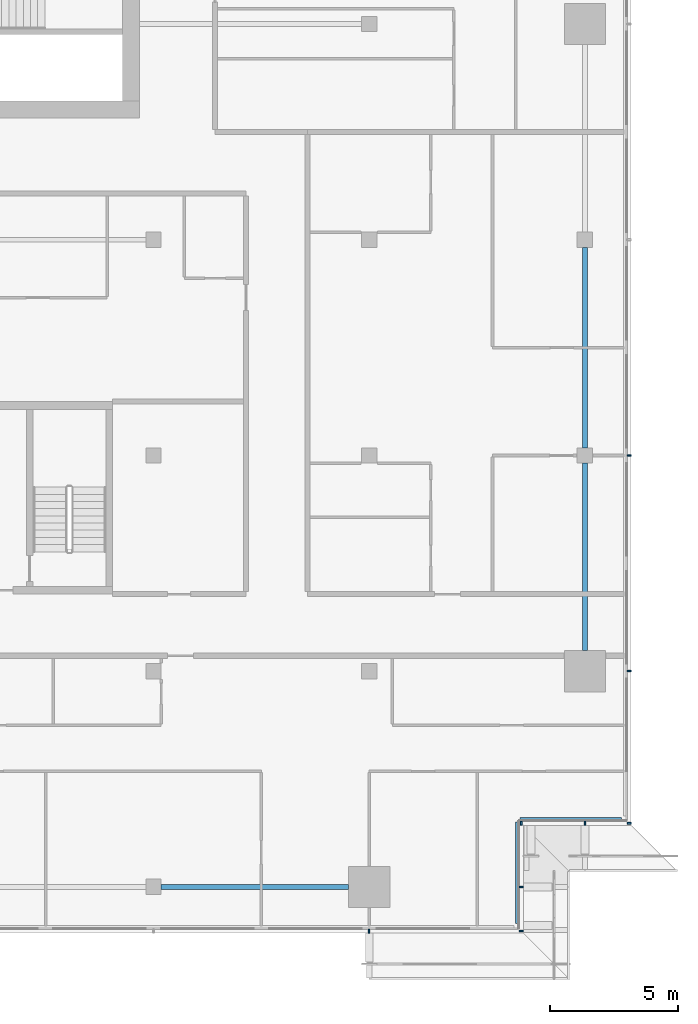
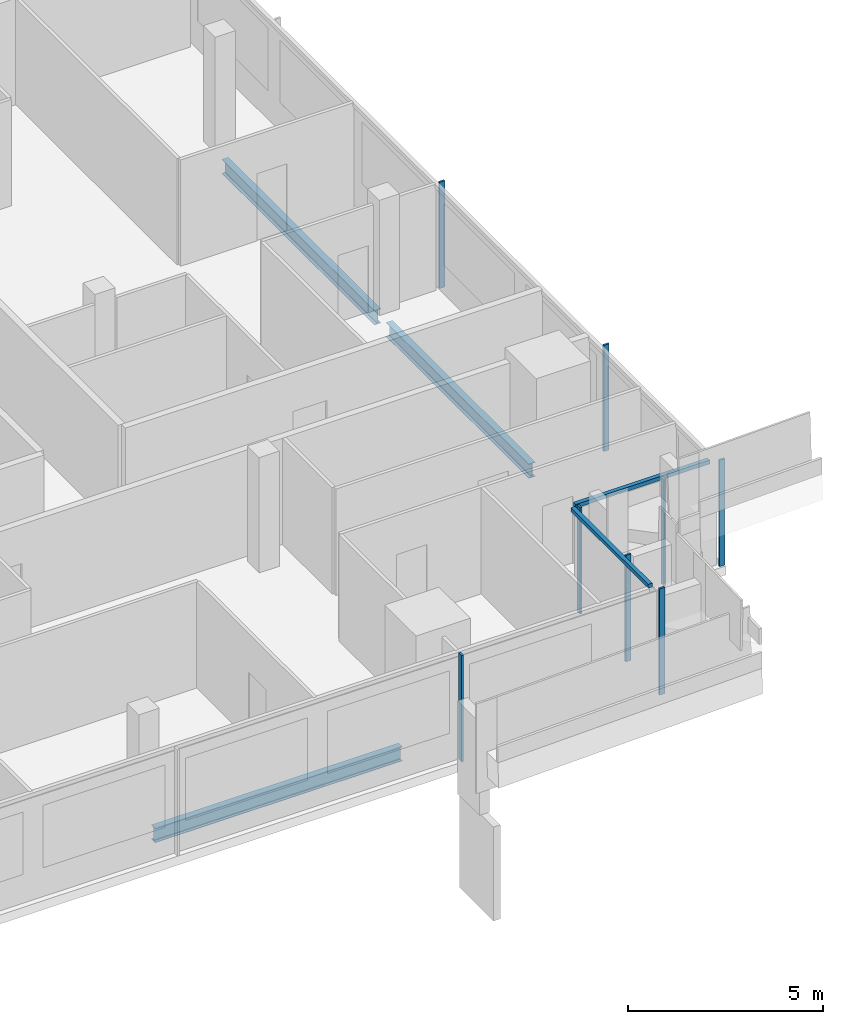
# One storey, part 13 of 30: 10 members, 3 beams, 4 elements without a shape of their own.
"""IFC4 building model written with IfcOpenShell, lengths in metres."""

from ifc_helpers import new_model, si_unit, direction, frame, origin, origin_2d, place, context, subcontext, project, spatial, rectangle, i_section, extrude, material, material_profile, profile_set, type_object, element, aggregate, save


model = new_model("IFC4")

# Units and contexts
model_context = context("Model", 3, precision=1e-05, world=origin(), true_north=direction((0.0, 1.0)))
body_context = subcontext(model_context, "Body", "Model", "MODEL_VIEW")
ifc_project = project(units=[si_unit("LENGTHUNIT", "METRE"), si_unit("AREAUNIT", "SQUARE_METRE"), si_unit("VOLUMEUNIT", "CUBIC_METRE"), si_unit("PLANEANGLEUNIT", "RADIAN"), si_unit("MASSUNIT", "GRAM", prefix="KILO")], contexts=[model_context])

# Site, building, storey
site_placement = place(None, origin())
site = spatial("IfcSite", under=ifc_project, at=site_placement, CompositionType="ELEMENT")
building_placement = place(site_placement, origin())
building = spatial("IfcBuilding", under=site, at=building_placement, Name="Saffron Gate Tower", CompositionType="ELEMENT")
storey_placement = place(building_placement, frame((0.0, 0.0, 237.89990234375)))
storey = spatial("IfcBuildingStorey", under=building, at=storey_placement, Name="L58", CompositionType="ELEMENT", Elevation=237.89990234375)

# Beams
ifc_material_1 = material(Name="Structural steel S355", Category="steel")
ifc_material_profile_1 = material_profile(ifc_material_1, i_section(OverallWidth=0.18994140625, OverallDepth=0.449951171875, WebThickness=0.009521484375, FlangeThickness=0.0146484375, FilletRadius=0.02099609375, at=origin_2d()))
ifc_profile_set_1 = profile_set([ifc_material_profile_1], Name="Structural steel S355")
beam_type = type_object("IfcBeamType", Name="B7 IPE 450", PredefinedType="SPANDREL", material=ifc_profile_set_1)
for number, where, z_axis, x_axis, name in (
    (1, (108.89990234375, 31.800048828125, -0.5048828125), (1.0, 0.0, 0.0), (0.0, 1.0, 0.0), "B7 SPANDREL BEAM"),
    (2, (125.39990234375, 41.0, -0.5048828125), (0.0, 1.0, 0.0), (-1.0, 0.0, 0.0), "B7 SPANDREL BEAM"),
):
    element("IfcBeam", number, at=place(storey_placement, frame(where, z_axis=z_axis, x_axis=x_axis)), inside=storey, type_object=beam_type, Name=name, PredefinedType="SPANDREL", context=body_context, shape_type="SweptSolid", body=[
        extrude(i_section(OverallWidth=0.18994140625, OverallDepth=0.449951171875, WebThickness=0.009521484375, FlangeThickness=0.0146484375, FilletRadius=0.02099609375, at=origin_2d()), origin(), (0.0, 0.0, 1.0), 7.300048828125),
    ])
beam_placement = place(storey_placement, frame((125.39990234375, 48.89990234375, -0.5048828125), z_axis=(0.0, 1.0, 0.0), x_axis=(-1.0, 0.0, 0.0)))
element("IfcBeam", 3, at=beam_placement, inside=storey, type_object=beam_type, Name="B7 SPANDREL BEAM", PredefinedType="SPANDREL", context=body_context, shape_type="SweptSolid", body=[
    extrude(i_section(OverallWidth=0.18994140625, OverallDepth=0.449951171875, WebThickness=0.009521484375, FlangeThickness=0.0146484375, FilletRadius=0.02099609375, at=origin_2d()), origin(), (0.0, 0.0, 1.0), 7.800048828125),
])

# Curtain wall, member
ifc_material_2 = material(Name="Aluminium, bronze anodised", Category="aluminium")
curtain_wall_type_1 = type_object("IfcCurtainWallType", Name="CWS1 curtain wall front facade", PredefinedType="NOTDEFINED", material=ifc_material_2)
curtain_wall_1_placement = place(storey_placement, origin())
curtain_wall_1 = element("IfcCurtainWall", 4, at=curtain_wall_1_placement, inside=storey, type_object=curtain_wall_type_1, Name="CWS1 run 1", PredefinedType="NOTDEFINED")
ifc_material_profile_2 = material_profile(ifc_material_2, rectangle(XDim=0.159912109375, YDim=0.06005859375, at=origin_2d()))
ifc_profile_set_2 = profile_set([ifc_material_profile_2], Name="Aluminium, bronze anodised")
member_type_1 = type_object("IfcMemberType", Name="CWS1 mullion 60x160", PredefinedType="MULLION", material=ifc_profile_set_2)
member_1_placement = place(storey_placement, frame((117.0, 30.080078125, 0.0), z_axis=(0.0, 0.0, 1.0), x_axis=(0.0, 1.0, 0.0)))
member_1 = element("IfcMember", 5, at=member_1_placement, type_object=member_type_1, Name="CWS1 mullion 9", PredefinedType="MULLION", context=body_context, shape_type="SweptSolid", body=[
    extrude(rectangle(XDim=0.159912109375, YDim=0.06005859375, at=origin_2d()), origin(), (0.0, 0.0, 1.0), 3.320068359375),
])
aggregate(curtain_wall_1, [member_1])

# Curtain wall, members
curtain_wall_type_2 = type_object("IfcCurtainWallType", Name="CWS2 curtain wall side facades", PredefinedType="NOTDEFINED", material=ifc_material_2)
curtain_wall_2_placement = place(storey_placement, origin())
curtain_wall_2 = element("IfcCurtainWall", 6, at=curtain_wall_2_placement, inside=storey, type_object=curtain_wall_type_2, Name="CWS2 run 4", PredefinedType="NOTDEFINED")
ifc_material_profile_3 = material_profile(ifc_material_2, rectangle(XDim=0.159912109375, YDim=0.06005859375, at=origin_2d()))
ifc_profile_set_3 = profile_set([ifc_material_profile_3], Name="Aluminium, bronze anodised")
member_type_2 = type_object("IfcMemberType", Name="CWS2 mullion 60x160", PredefinedType="MULLION", material=ifc_profile_set_3)
member_2_placement = place(storey_placement, frame((127.1201171875, 34.280029296875, 0.0), z_axis=(0.0, 0.0, 1.0), x_axis=(-1.0, 0.0, 0.0)))
member_2 = element("IfcMember", 7, at=member_2_placement, type_object=member_type_2, Name="CWS2 mullion 1", PredefinedType="MULLION", context=body_context, shape_type="SweptSolid", body=[
    extrude(rectangle(XDim=0.159912109375, YDim=0.06005859375, at=origin_2d()), origin(), (0.0, 0.0, 1.0), 3.320068359375),
])
member_3_placement = place(storey_placement, frame((127.1201171875, 40.199951171875, 0.0), z_axis=(0.0, 0.0, 1.0), x_axis=(-1.0, 0.0, 0.0)))
member_3 = element("IfcMember", 8, at=member_3_placement, type_object=member_type_2, Name="CWS2 mullion 2", PredefinedType="MULLION", context=body_context, shape_type="SweptSolid", body=[
    extrude(rectangle(XDim=0.159912109375, YDim=0.06005859375, at=origin_2d()), origin(), (0.0, 0.0, 1.0), 3.320068359375),
])
member_4_placement = place(storey_placement, frame((127.1201171875, 48.60009765625, 0.0), z_axis=(0.0, 0.0, 1.0), x_axis=(-1.0, 0.0, 0.0)))
member_4 = element("IfcMember", 9, at=member_4_placement, type_object=member_type_2, Name="CWS2 mullion 3", PredefinedType="MULLION", context=body_context, shape_type="SweptSolid", body=[
    extrude(rectangle(XDim=0.159912109375, YDim=0.06005859375, at=origin_2d()), origin(), (0.0, 0.0, 1.0), 3.320068359375),
])
aggregate(curtain_wall_2, [member_2, member_3, member_4])

# Curtain wall, member
curtain_wall_type_3 = type_object("IfcCurtainWallType", Name="CWS4 curtain wall corner returns", PredefinedType="NOTDEFINED", material=ifc_material_2)
curtain_wall_3_placement = place(storey_placement, origin())
curtain_wall_3 = element("IfcCurtainWall", 10, at=curtain_wall_3_placement, inside=storey, type_object=curtain_wall_type_3, Name="CWS4 run 2", PredefinedType="NOTDEFINED")
ifc_material_profile_4 = material_profile(ifc_material_2, rectangle(XDim=0.1201171875, YDim=0.1201171875, at=origin_2d()))
ifc_profile_set_4 = profile_set([ifc_material_profile_4], Name="Aluminium, bronze anodised")
member_type_3 = type_object("IfcMemberType", Name="CWS4 head transom", PredefinedType="USERDEFINED", material=ifc_profile_set_4)
member_5_placement = place(storey_placement, frame((122.751953125, 30.367919921875, 3.260009765625), z_axis=(0.0, 1.0, 0.0), x_axis=(-1.0, 0.0, 0.0)))
member_5 = element("IfcMember", 11, at=member_5_placement, type_object=member_type_3, Name="CWS4 head transom", ObjectType="TRANSOM", PredefinedType="USERDEFINED", context=body_context, shape_type="SweptSolid", body=[
    extrude(rectangle(XDim=0.1201171875, YDim=0.1201171875, at=origin_2d()), origin(), (0.0, 0.0, 1.0), 3.9599609375),
])

curtain_wall_4_placement = place(storey_placement, origin())
curtain_wall_4 = element("IfcCurtainWall", 12, at=curtain_wall_4_placement, inside=storey, type_object=curtain_wall_type_3, Name="CWS4 run 3", PredefinedType="NOTDEFINED")
member_6_placement = place(storey_placement, frame((122.8720703125, 34.447998046875, 3.260009765625), z_axis=(1.0, 0.0, 0.0), x_axis=(0.0, 1.0, 0.0)))
member_6 = element("IfcMember", 13, at=member_6_placement, type_object=member_type_3, Name="CWS4 head transom", ObjectType="TRANSOM", PredefinedType="USERDEFINED", context=body_context, shape_type="SweptSolid", body=[
    extrude(rectangle(XDim=0.1201171875, YDim=0.1201171875, at=origin_2d()), origin(), (0.0, 0.0, 1.0), 3.9599609375),
])

# Member
ifc_material_profile_5 = material_profile(ifc_material_2, rectangle(XDim=0.159912109375, YDim=0.06005859375, at=origin_2d()))
ifc_profile_set_5 = profile_set([ifc_material_profile_5], Name="Aluminium, bronze anodised")
member_type_4 = type_object("IfcMemberType", Name="CWS4 mullion 60x160", PredefinedType="MULLION", material=ifc_profile_set_5)
member_7_placement = place(storey_placement, frame((122.919921875, 30.080078125, 0.0), z_axis=(0.0, 0.0, 1.0), x_axis=(-1.0, 0.0, 0.0)))
member_7 = element("IfcMember", 14, at=member_7_placement, type_object=member_type_4, Name="CWS4 mullion 1", PredefinedType="MULLION", context=body_context, shape_type="SweptSolid", body=[
    extrude(rectangle(XDim=0.159912109375, YDim=0.06005859375, at=origin_2d()), origin(), (0.0, 0.0, 1.0), 3.320068359375),
])

member_8_placement = place(storey_placement, frame((122.919921875, 31.800048828125, 0.0), z_axis=(0.0, 0.0, 1.0), x_axis=(-1.0, 0.0, 0.0)))
member_8 = element("IfcMember", 15, at=member_8_placement, type_object=member_type_4, Name="CWS4 mullion 2", PredefinedType="MULLION", context=body_context, shape_type="SweptSolid", body=[
    extrude(rectangle(XDim=0.159912109375, YDim=0.06005859375, at=origin_2d()), origin(), (0.0, 0.0, 1.0), 3.320068359375),
])

aggregate(curtain_wall_3, [member_7, member_8, member_5])

member_9_placement = place(storey_placement, frame((122.919921875, 34.280029296875, 0.0), z_axis=(0.0, 0.0, 1.0), x_axis=(0.0, 1.0, 0.0)))
member_9 = element("IfcMember", 16, at=member_9_placement, type_object=member_type_4, Name="CWS4 mullion 1", PredefinedType="MULLION", context=body_context, shape_type="SweptSolid", body=[
    extrude(rectangle(XDim=0.159912109375, YDim=0.06005859375, at=origin_2d()), origin(), (0.0, 0.0, 1.0), 3.320068359375),
])

member_10_placement = place(storey_placement, frame((125.39990234375, 34.280029296875, 0.0), z_axis=(0.0, 0.0, 1.0), x_axis=(0.0, 1.0, 0.0)))
member_10 = element("IfcMember", 17, at=member_10_placement, type_object=member_type_4, Name="CWS4 mullion 2", PredefinedType="MULLION", context=body_context, shape_type="SweptSolid", body=[
    extrude(rectangle(XDim=0.159912109375, YDim=0.06005859375, at=origin_2d()), origin(), (0.0, 0.0, 1.0), 3.320068359375),
])

aggregate(curtain_wall_4, [member_9, member_10, member_6])

save(model, "model.ifc")
